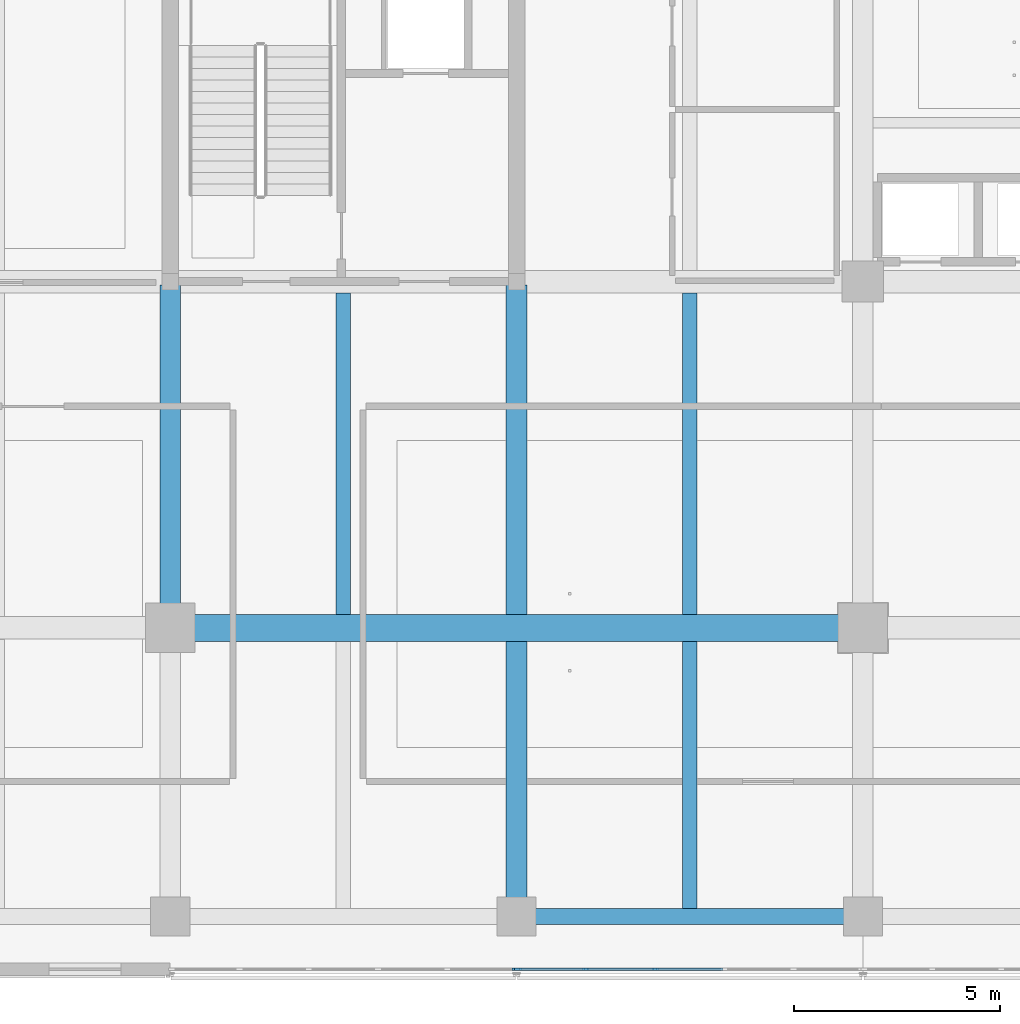
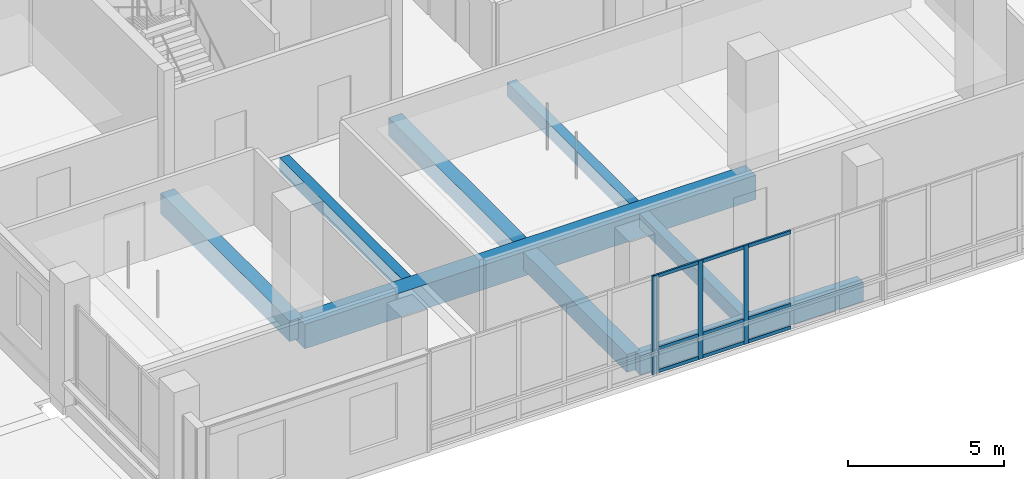
# One storey, part 9 of 128: 13 members, 8 beams, 2 elements without a shape of their own.
"""IFC4 building model written with IfcOpenShell, lengths in metres."""

import ifcopenshell
import ifcopenshell.guid

model = None  # the IFC model being written
_history = None  # IfcOwnerHistory: only IFC2X3 demands one
_inside = {}  # id of a spatial element -> (the spatial element, [elements in it])
_under = {}  # id of a project, library or spatial element -> (it, [spatial elements below it])
_declared = {}  # id of a project -> (the project, [libraries it declares])
_typed = {}  # id of a type object -> (the type object, [elements of that type])
_made_of = {}  # id of a material, layer set ... -> (it, [elements and type objects made of it])


def new_model(schema):
    """Start an empty IFC model of exactly this schema.

    Asked for "IFC4X3", IfcOpenShell would pick the latest addendum, in which some entities
    have other attributes; the version numbers below select the first issue.
    IFC2X3 requires an IfcOwnerHistory on every rooted entity: one is made here for all.
    """
    global model, _history
    if schema == "IFC4X3":
        model = ifcopenshell.file(schema_version=(4, 3, 0, 0))
    else:
        model = ifcopenshell.file(schema=schema)
    _inside.clear()
    _under.clear()
    _declared.clear()
    _typed.clear()
    _made_of.clear()
    _history = None
    if model.schema == "IFC2X3":
        org = make("IfcOrganization", Name="unknown")
        user = make(
            "IfcPersonAndOrganization",
            ThePerson=make("IfcPerson", FamilyName="unknown"),
            TheOrganization=org,
        )
        app = make(
            "IfcApplication",
            ApplicationDeveloper=org,
            Version="unknown",
            ApplicationFullName="unknown",
            ApplicationIdentifier="unknown",
        )
        _history = make(
            "IfcOwnerHistory",
            OwningUser=user,
            OwningApplication=app,
            ChangeAction="ADDED",
            CreationDate=0,
        )
    return model


def make(cls, **values):
    """One entity of the class cls with the attributes given. An attribute that is None is left unset."""
    return model.create_entity(
        cls, **{name: value for name, value in values.items() if value is not None}
    )


def rooted(cls, **values):
    """An entity with a GlobalId (a new one), such as an element, a storey or a relation."""
    return make(cls, GlobalId=ifcopenshell.guid.new(), OwnerHistory=_history, **values)


def si_unit(unit_type, name, prefix=None):
    """IfcSIUnit, for example si_unit("LENGTHUNIT", "METRE", prefix="MILLI")."""
    return make("IfcSIUnit", UnitType=unit_type, Prefix=prefix, Name=name)


def assignment(units):
    """IfcUnitAssignment: the units of a project."""
    return None if units is None else make("IfcUnitAssignment", Units=units)


def point(xyz):
    """IfcCartesianPoint."""
    return None if xyz is None else make("IfcCartesianPoint", Coordinates=xyz)


def direction(xyz):
    """IfcDirection."""
    return None if xyz is None else make("IfcDirection", DirectionRatios=xyz)


def frame(location, z_axis=None, x_axis=None):
    """IfcAxis2Placement3D, a coordinate frame: its origin and axes. An axis left out is left unset."""
    return make(
        "IfcAxis2Placement3D",
        Location=point(location),
        Axis=direction(z_axis),
        RefDirection=direction(x_axis),
    )


def frame_2d(location, x_axis=None):
    """IfcAxis2Placement2D, a coordinate frame in the plane: its origin and x axis."""
    return make(
        "IfcAxis2Placement2D", Location=point(location), RefDirection=direction(x_axis)
    )


def origin():
    """The frame at (0, 0, 0) with its axes left unset."""
    return frame((0.0, 0.0, 0.0))


def origin_2d():
    """The frame at (0, 0) in the plane with its x axis left unset."""
    return frame_2d((0.0, 0.0))


def place(relative_to, where):
    """IfcLocalPlacement: puts the frame where relative to a parent placement (None: the world)."""
    return make(
        "IfcLocalPlacement", PlacementRelTo=relative_to, RelativePlacement=where
    )


def context(
    kind, dimensions, precision=None, world=None, true_north=None, identifier=None
):
    """IfcGeometricRepresentationContext, for example the 3D "Model" context."""
    return make(
        "IfcGeometricRepresentationContext",
        ContextIdentifier=identifier,
        ContextType=kind,
        CoordinateSpaceDimension=dimensions,
        Precision=precision,
        WorldCoordinateSystem=world,
        TrueNorth=true_north,
    )


def subcontext(parent, identifier, kind, view, scale=None):
    """IfcGeometricRepresentationSubContext, for example "Body" below "Model"."""
    return make(
        "IfcGeometricRepresentationSubContext",
        ContextIdentifier=identifier,
        ContextType=kind,
        ParentContext=parent,
        TargetScale=scale,
        TargetView=view,
    )


def project(units=None, contexts=None):
    """IfcProject with its units and contexts."""
    return rooted(
        "IfcProject",
        Name="project",
        RepresentationContexts=contexts,
        UnitsInContext=assignment(units),
    )


def spatial(cls, under=None, at=None, **own):
    """A site, building, storey or space (cls), placed at a placement, below another one or the project."""
    s = rooted(cls, ObjectPlacement=at, **own)
    if under is not None:
        _under.setdefault(under.id(), (under, []))[1].append(s)
    return s


def profile(cls, at=None, kind="AREA", **sizes):
    """A parametric profile (cls). Its sizes go by their IFC names, for example OverallWidth=200.0."""
    return make(cls, ProfileType=kind, Position=at, **sizes)


def rectangle(**sizes):
    """IfcRectangleProfileDef."""
    return profile("IfcRectangleProfileDef", **sizes)


def extrude(swept, where, along, depth):
    """IfcExtrudedAreaSolid: the profile swept, set in the frame where, extruded along a direction by depth."""
    return make(
        "IfcExtrudedAreaSolid",
        SweptArea=swept,
        Position=where,
        ExtrudedDirection=direction(along),
        Depth=depth,
    )


def shape(context_of_items, identifier, shape_type, items):
    """IfcShapeRepresentation: the items that make up one representation, for example the "Body"."""
    return make(
        "IfcShapeRepresentation",
        ContextOfItems=context_of_items,
        RepresentationIdentifier=identifier,
        RepresentationType=shape_type,
        Items=items,
    )


def material(Name=None, Category=None):
    """IfcMaterial."""
    return make("IfcMaterial", Name=Name, Category=Category)


def layer(
    of_material, thickness, ventilated=None, Name=None, Category=None, Priority=None
):
    """IfcMaterialLayer: one layer of a wall or slab, of a material (None: an air gap)."""
    return make(
        "IfcMaterialLayer",
        Material=of_material,
        LayerThickness=thickness,
        IsVentilated=ventilated,
        Name=Name,
        Category=Category,
        Priority=Priority,
    )


def layer_set(layers, Name=None):
    """IfcMaterialLayerSet."""
    return make("IfcMaterialLayerSet", MaterialLayers=layers, LayerSetName=Name)


def material_profile(
    of_material, cross_section, Name=None, Category=None, Priority=None
):
    """IfcMaterialProfile: a cross section and its material."""
    return make(
        "IfcMaterialProfile",
        Name=Name,
        Material=of_material,
        Profile=cross_section,
        Priority=Priority,
        Category=Category,
    )


def profile_set(profiles, Name=None, composite=None):
    """IfcMaterialProfileSet."""
    return make(
        "IfcMaterialProfileSet",
        Name=Name,
        MaterialProfiles=profiles,
        CompositeProfile=composite,
    )


def made_of(thing, what):
    """Note that an element or type object is made of a material, layer set ...; save() writes the relation."""
    if what is not None:
        _made_of.setdefault(what.id(), (what, []))[1].append(thing)
    return thing


def type_object(cls, material=None, **own):
    """A type object (cls), such as IfcWallType, which elements share."""
    return made_of(rooted(cls, **own), material)


def element(
    cls,
    number,
    at=None,
    inside=None,
    cuts=None,
    type_object=None,
    material=None,
    context=None,
    identifier="Body",
    shape_type=None,
    held_by="IfcProductDefinitionShape",
    body=None,
    shapes=None,
    **own,
):
    """One element of the class cls, such as IfcWall. Its Tag is "e" and its number.

    at: its placement. inside: the storey or other place that contains it. cuts: it is an
    opening in that element (IfcRelVoidsElement). A single representation is given by context,
    identifier, shape_type and body (its items); several are given by shapes. held_by: the class
    of the entity that holds the representations. save() writes the other relations.
    """
    e = rooted(cls, Tag="e%d" % number, ObjectPlacement=at, **own)
    if body is not None:
        shapes = [shape(context, identifier, shape_type, body)]
    if shapes is not None:
        e.Representation = make(held_by, Representations=shapes)
    if inside is not None:
        _inside.setdefault(inside.id(), (inside, []))[1].append(e)
    if cuts is not None:
        rooted(
            "IfcRelVoidsElement", RelatingBuildingElement=cuts, RelatedOpeningElement=e
        )
    if type_object is not None:
        _typed.setdefault(type_object.id(), (type_object, []))[1].append(e)
    return made_of(e, material)


def aggregate(whole, parts):
    """IfcRelAggregates: a whole, such as a stair, and the parts it consists of."""
    return rooted("IfcRelAggregates", RelatingObject=whole, RelatedObjects=parts)


def save(model, path):
    """Write the relations noted so far, then the file.

    IfcRelAggregates (storeys below a building ...), IfcRelContainedInSpatialStructure (elements
    in a storey), IfcRelDefinesByType, IfcRelAssociatesMaterial and IfcRelDeclares: one each for
    every whole, place, type object, material and project.
    """
    for whole, parts in _under.values():
        aggregate(whole, parts)
    for where, things in _inside.values():
        rooted(
            "IfcRelContainedInSpatialStructure",
            RelatedElements=things,
            RelatingStructure=where,
        )
    for kind, things in _typed.values():
        rooted("IfcRelDefinesByType", RelatedObjects=things, RelatingType=kind)
    for what, things in _made_of.values():
        rooted("IfcRelAssociatesMaterial", RelatedObjects=things, RelatingMaterial=what)
    for by, libraries in _declared.values():
        rooted("IfcRelDeclares", RelatingContext=by, RelatedDefinitions=libraries)
    model.write(path)


model = new_model("IFC4")

# Units and contexts
model_context = context("Model", 3, precision=1e-05, world=origin(), true_north=direction((0.0, 1.0)))
body_context = subcontext(model_context, "Body", "Model", "MODEL_VIEW")
ifc_project = project(units=[si_unit("LENGTHUNIT", "METRE"), si_unit("AREAUNIT", "SQUARE_METRE"), si_unit("VOLUMEUNIT", "CUBIC_METRE"), si_unit("PLANEANGLEUNIT", "RADIAN"), si_unit("MASSUNIT", "GRAM", prefix="KILO")], contexts=[model_context])

# Site, building, storey
site_placement = place(None, origin())
site = spatial("IfcSite", under=ifc_project, at=site_placement, CompositionType="ELEMENT")
building_placement = place(site_placement, origin())
building = spatial("IfcBuilding", under=site, at=building_placement, Name="Telukmera Botanical Conservatory", CompositionType="ELEMENT")
storey_placement = place(building_placement, frame((0.0, 0.0, 5.39990234375)))
storey = spatial("IfcBuildingStorey", under=building, at=storey_placement, Name="L01", CompositionType="ELEMENT", Elevation=5.39990234375)

# Beams
ifc_material_1 = material(Name="Concrete C40/50", Category="concrete")
ifc_material_profile_1 = material_profile(ifc_material_1, rectangle(XDim=0.5, YDim=0.699951171875, at=origin_2d()), Name="RC 500x700")
ifc_profile_set_1 = profile_set([ifc_material_profile_1], Name="Concrete C40/50")
beam_type_1 = type_object("IfcBeamType", Name="Beam_B14", PredefinedType="BEAM", material=ifc_profile_set_1)
beam_1_placement = place(storey_placement, frame((67.199951171875, 10.679931640625, -0.349853515625), z_axis=(0.0, 1.0, 0.0), x_axis=(-1.0, 0.0, 0.0)))
element("IfcBeam", 1, at=beam_1_placement, inside=storey, type_object=beam_type_1, Name="Tower Hall Secondary Girder L01", PredefinedType="BEAM", context=body_context, shape_type="SweptSolid", body=[
    extrude(rectangle(XDim=0.5, YDim=0.699951171875, at=origin_2d()), origin(), (0.0, 0.0, 1.0), 6.594970703125),
])
beam_2_placement = place(storey_placement, frame((67.199951171875, 17.925048828125, -0.349853515625), z_axis=(0.0, 1.0, 0.0), x_axis=(-1.0, 0.0, 0.0)))
element("IfcBeam", 2, at=beam_2_placement, inside=storey, type_object=beam_type_1, Name="Tower Hall Secondary Girder L01", PredefinedType="BEAM", context=body_context, shape_type="SweptSolid", body=[
    extrude(rectangle(XDim=0.5, YDim=0.699951171875, at=origin_2d()), origin(), (0.0, 0.0, 1.0), 7.994873046875),
])
ifc_material_profile_2 = material_profile(ifc_material_1, rectangle(XDim=0.64990234375, YDim=0.949951171875, at=origin_2d()), Name="RC 650x950")
ifc_profile_set_2 = profile_set([ifc_material_profile_2], Name="Concrete C40/50")
beam_type_2 = type_object("IfcBeamType", Name="Beam_B2", PredefinedType="BEAM", material=ifc_profile_set_2)
beam_3_placement = place(storey_placement, frame((58.8798828125, 17.60009765625, -0.474853515625), z_axis=(1.0, 0.0, 0.0), x_axis=(0.0, 1.0, 0.0)))
element("IfcBeam", 3, at=beam_3_placement, inside=storey, type_object=beam_type_2, Name="Tower Grid Beam L01", PredefinedType="BEAM", context=body_context, shape_type="SweptSolid", body=[
    extrude(rectangle(XDim=0.64990234375, YDim=0.949951171875, at=origin_2d()), origin(), (0.0, 0.0, 1.0), 16.64013671875),
])
ifc_material_profile_3 = material_profile(ifc_material_1, rectangle(XDim=0.35009765625, YDim=0.550048828125, at=origin_2d()), Name="RC 350x550")
ifc_profile_set_3 = profile_set([ifc_material_profile_3], Name="Concrete C40/50")
beam_type_3 = type_object("IfcBeamType", Name="Beam_B21", PredefinedType="JOIST", material=ifc_profile_set_3)
beam_4_placement = place(storey_placement, frame((63.0, 17.925048828125, -0.27490234375), z_axis=(0.0, 1.0, 0.0), x_axis=(-1.0, 0.0, 0.0)))
element("IfcBeam", 4, at=beam_4_placement, inside=storey, type_object=beam_type_3, Name="Tower Secondary Floor Joist L01", PredefinedType="JOIST", context=body_context, shape_type="SweptSolid", body=[
    extrude(rectangle(XDim=0.35009765625, YDim=0.550048828125, at=origin_2d()), origin(), (0.0, 0.0, 1.0), 7.800048828125),
])
beam_5_placement = place(storey_placement, frame((71.39990234375, 10.800048828125, -0.27490234375), z_axis=(0.0, 1.0, 0.0), x_axis=(-1.0, 0.0, 0.0)))
element("IfcBeam", 5, at=beam_5_placement, inside=storey, type_object=beam_type_3, Name="Tower Secondary Floor Joist L01", PredefinedType="JOIST", context=body_context, shape_type="SweptSolid", body=[
    extrude(rectangle(XDim=0.35009765625, YDim=0.550048828125, at=origin_2d()), origin(), (0.0, 0.0, 1.0), 6.474853515625),
])
beam_6_placement = place(storey_placement, frame((71.39990234375, 17.925048828125, -0.27490234375), z_axis=(0.0, 1.0, 0.0), x_axis=(-1.0, 0.0, 0.0)))
element("IfcBeam", 6, at=beam_6_placement, inside=storey, type_object=beam_type_3, Name="Tower Secondary Floor Joist L01", PredefinedType="JOIST", context=body_context, shape_type="SweptSolid", body=[
    extrude(rectangle(XDim=0.35009765625, YDim=0.550048828125, at=origin_2d()), origin(), (0.0, 0.0, 1.0), 7.800048828125),
])
ifc_material_profile_4 = material_profile(ifc_material_1, rectangle(XDim=0.5, YDim=0.800048828125, at=origin_2d()), Name="RC 500x800")
ifc_profile_set_4 = profile_set([ifc_material_profile_4], Name="Concrete C40/50")
beam_type_4 = type_object("IfcBeamType", Name="Beam_B5", PredefinedType="BEAM", material=ifc_profile_set_4)
beam_7_placement = place(storey_placement, frame((58.800048828125, 17.679931640625, -0.39990234375), z_axis=(0.0, 1.0, 0.0), x_axis=(-1.0, 0.0, 0.0)))
element("IfcBeam", 7, at=beam_7_placement, inside=storey, type_object=beam_type_4, Name="Tower Transverse Beam L01", PredefinedType="BEAM", context=body_context, shape_type="SweptSolid", body=[
    extrude(rectangle(XDim=0.5, YDim=0.800048828125, at=origin_2d()), origin(), (0.0, 0.0, 1.0), 8.239990234375),
])
ifc_material_2 = material(Name="Precast concrete C40/50", Category="concrete")
ifc_material_profile_5 = material_profile(ifc_material_2, rectangle(XDim=0.39990234375, YDim=0.75, at=origin_2d()), Name="PC 400x750")
ifc_profile_set_5 = profile_set([ifc_material_profile_5], Name="Precast concrete C40/50")
beam_type_5 = type_object("IfcBeamType", Name="Beam_SP1", PredefinedType="SPANDREL", material=ifc_profile_set_5)
beam_8_placement = place(storey_placement, frame((67.280029296875, 10.60009765625, -0.375), z_axis=(1.0, 0.0, 0.0), x_axis=(0.0, 1.0, 0.0)))
element("IfcBeam", 8, at=beam_8_placement, inside=storey, type_object=beam_type_5, Name="Tower Grid Beam L01", PredefinedType="SPANDREL", context=body_context, shape_type="SweptSolid", body=[
    extrude(rectangle(XDim=0.39990234375, YDim=0.75, at=origin_2d()), origin(), (0.0, 0.0, 1.0), 8.239990234375),
])

# Curtain wall, member
ifc_material_3 = material(Name="Anodised aluminium 6063-T6", Category="aluminium")
ifc_layer = layer(ifc_material_3, 0.179931640625)
ifc_layer_set = layer_set([ifc_layer], Name="Anodised aluminium 6063-T6")
curtain_wall_type = type_object("IfcCurtainWallType", Name="Tower Reference Library Curtain Wall", PredefinedType="USERDEFINED", material=ifc_layer_set)
curtain_wall_1_placement = place(storey_placement, origin())
curtain_wall_1 = element("IfcCurtainWall", 9, at=curtain_wall_1_placement, inside=storey, type_object=curtain_wall_type, Name="Unitised Curtain Wall CW13 V4:L01:S2", ObjectType="UNITISED CURTAIN WALL", PredefinedType="USERDEFINED")
ifc_material_profile_6 = material_profile(ifc_material_3, rectangle(XDim=0.06494140625, YDim=0.159912109375, at=origin_2d()), Name="ALU MULL 65x160")
ifc_profile_set_6 = profile_set([ifc_material_profile_6], Name="Anodised aluminium 6063-T6")
member_type_1 = type_object("IfcMemberType", Name="Curtain Wall Extruded Mullion 65x160", PredefinedType="MULLION", material=ifc_profile_set_6)
member_1_placement = place(storey_placement, frame((67.16552734375, 9.320068359375, 0.0), z_axis=(0.0, 0.0, 1.0), x_axis=(0.0, 1.0, 0.0)))
member_1 = element("IfcMember", 10, at=member_1_placement, type_object=member_type_1, Name="CW13 mullion 6", PredefinedType="MULLION", context=body_context, shape_type="SweptSolid", body=[
    extrude(rectangle(XDim=0.06494140625, YDim=0.159912109375, at=origin_2d()), origin(), (0.0, 0.0, 1.0), 3.85009765625),
])
aggregate(curtain_wall_1, [member_1])

# Curtain wall, members
curtain_wall_2_placement = place(storey_placement, origin())
curtain_wall_2 = element("IfcCurtainWall", 11, at=curtain_wall_2_placement, inside=storey, type_object=curtain_wall_type, Name="Unitised Curtain Wall CW13 V4:L01:S3", ObjectType="UNITISED CURTAIN WALL", PredefinedType="USERDEFINED")
member_2_placement = place(storey_placement, frame((67.234619140625, 9.320068359375, 0.0), z_axis=(0.0, 0.0, 1.0), x_axis=(0.0, 1.0, 0.0)))
member_2 = element("IfcMember", 12, at=member_2_placement, type_object=member_type_1, Name="CW13 mullion 1", PredefinedType="MULLION", context=body_context, shape_type="SweptSolid", body=[
    extrude(rectangle(XDim=0.06494140625, YDim=0.159912109375, at=origin_2d()), origin(), (0.0, 0.0, 1.0), 3.85009765625),
])
member_3_placement = place(storey_placement, frame((68.881103515625, 9.320068359375, 0.0), z_axis=(0.0, 0.0, 1.0), x_axis=(0.0, 1.0, 0.0)))
member_3 = element("IfcMember", 13, at=member_3_placement, type_object=member_type_1, Name="CW13 mullion 2", PredefinedType="MULLION", context=body_context, shape_type="SweptSolid", body=[
    extrude(rectangle(XDim=0.06494140625, YDim=0.159912109375, at=origin_2d()), origin(), (0.0, 0.0, 1.0), 3.85009765625),
])
member_4_placement = place(storey_placement, frame((70.560302734375, 9.320068359375, 0.0), z_axis=(0.0, 0.0, 1.0), x_axis=(0.0, 1.0, 0.0)))
member_4 = element("IfcMember", 14, at=member_4_placement, type_object=member_type_1, Name="CW13 mullion 3", PredefinedType="MULLION", context=body_context, shape_type="SweptSolid", body=[
    extrude(rectangle(XDim=0.06494140625, YDim=0.159912109375, at=origin_2d()), origin(), (0.0, 0.0, 1.0), 3.85009765625),
])
ifc_material_profile_7 = material_profile(ifc_material_3, rectangle(XDim=0.06494140625, YDim=0.1298828125, at=origin_2d()), Name="ALU TRAN 65x130")
ifc_profile_set_7 = profile_set([ifc_material_profile_7], Name="Anodised aluminium 6063-T6")
member_type_2 = type_object("IfcMemberType", Name="Curtain Wall Extruded Transom 65x130", PredefinedType="USERDEFINED", material=ifc_profile_set_7)
member_5_placement = place(storey_placement, frame((67.26708984375, 9.320068359375, 0.065185546875), z_axis=(1.0, 0.0, 0.0), x_axis=(0.0, 1.0, 0.0)))
member_5 = element("IfcMember", 15, at=member_5_placement, type_object=member_type_2, Name="CW13 transom 1.1", ObjectType="TRANSOM", PredefinedType="USERDEFINED", context=body_context, shape_type="SweptSolid", body=[
    extrude(rectangle(XDim=0.06494140625, YDim=0.1298828125, at=origin_2d()), origin(), (0.0, 0.0, 1.0), 1.58154296875),
])
member_6_placement = place(storey_placement, frame((67.26708984375, 9.320068359375, 0.9501953125), z_axis=(1.0, 0.0, 0.0), x_axis=(0.0, 1.0, 0.0)))
member_6 = element("IfcMember", 16, at=member_6_placement, type_object=member_type_2, Name="CW13 transom 1.2", ObjectType="TRANSOM", PredefinedType="USERDEFINED", context=body_context, shape_type="SweptSolid", body=[
    extrude(rectangle(XDim=0.06494140625, YDim=0.1298828125, at=origin_2d()), origin(), (0.0, 0.0, 1.0), 1.58154296875),
])
member_7_placement = place(storey_placement, frame((67.26708984375, 9.320068359375, 3.78515625), z_axis=(1.0, 0.0, 0.0), x_axis=(0.0, 1.0, 0.0)))
member_7 = element("IfcMember", 17, at=member_7_placement, type_object=member_type_2, Name="CW13 transom 1.3", ObjectType="TRANSOM", PredefinedType="USERDEFINED", context=body_context, shape_type="SweptSolid", body=[
    extrude(rectangle(XDim=0.06494140625, YDim=0.1298828125, at=origin_2d()), origin(), (0.0, 0.0, 1.0), 1.58154296875),
])
member_8_placement = place(storey_placement, frame((68.913818359375, 9.320068359375, 0.065185546875), z_axis=(1.0, 0.0, 0.0), x_axis=(0.0, 1.0, 0.0)))
member_8 = element("IfcMember", 18, at=member_8_placement, type_object=member_type_2, Name="CW13 transom 2.1", ObjectType="TRANSOM", PredefinedType="USERDEFINED", context=body_context, shape_type="SweptSolid", body=[
    extrude(rectangle(XDim=0.06494140625, YDim=0.1298828125, at=origin_2d()), origin(), (0.0, 0.0, 1.0), 1.614013671875),
])
member_9_placement = place(storey_placement, frame((68.913818359375, 9.320068359375, 0.9501953125), z_axis=(1.0, 0.0, 0.0), x_axis=(0.0, 1.0, 0.0)))
member_9 = element("IfcMember", 19, at=member_9_placement, type_object=member_type_2, Name="CW13 transom 2.2", ObjectType="TRANSOM", PredefinedType="USERDEFINED", context=body_context, shape_type="SweptSolid", body=[
    extrude(rectangle(XDim=0.06494140625, YDim=0.1298828125, at=origin_2d()), origin(), (0.0, 0.0, 1.0), 1.614013671875),
])
member_10_placement = place(storey_placement, frame((68.913818359375, 9.320068359375, 3.78515625), z_axis=(1.0, 0.0, 0.0), x_axis=(0.0, 1.0, 0.0)))
member_10 = element("IfcMember", 20, at=member_10_placement, type_object=member_type_2, Name="CW13 transom 2.3", ObjectType="TRANSOM", PredefinedType="USERDEFINED", context=body_context, shape_type="SweptSolid", body=[
    extrude(rectangle(XDim=0.06494140625, YDim=0.1298828125, at=origin_2d()), origin(), (0.0, 0.0, 1.0), 1.614013671875),
])
member_11_placement = place(storey_placement, frame((70.593017578125, 9.320068359375, 0.065185546875), z_axis=(1.0, 0.0, 0.0), x_axis=(0.0, 1.0, 0.0)))
member_11 = element("IfcMember", 21, at=member_11_placement, type_object=member_type_2, Name="CW13 transom 3.1", ObjectType="TRANSOM", PredefinedType="USERDEFINED", context=body_context, shape_type="SweptSolid", body=[
    extrude(rectangle(XDim=0.06494140625, YDim=0.1298828125, at=origin_2d()), origin(), (0.0, 0.0, 1.0), 1.614013671875),
])
member_12_placement = place(storey_placement, frame((70.593017578125, 9.320068359375, 0.9501953125), z_axis=(1.0, 0.0, 0.0), x_axis=(0.0, 1.0, 0.0)))
member_12 = element("IfcMember", 22, at=member_12_placement, type_object=member_type_2, Name="CW13 transom 3.2", ObjectType="TRANSOM", PredefinedType="USERDEFINED", context=body_context, shape_type="SweptSolid", body=[
    extrude(rectangle(XDim=0.06494140625, YDim=0.1298828125, at=origin_2d()), origin(), (0.0, 0.0, 1.0), 1.614013671875),
])
member_13_placement = place(storey_placement, frame((70.593017578125, 9.320068359375, 3.78515625), z_axis=(1.0, 0.0, 0.0), x_axis=(0.0, 1.0, 0.0)))
member_13 = element("IfcMember", 23, at=member_13_placement, type_object=member_type_2, Name="CW13 transom 3.3", ObjectType="TRANSOM", PredefinedType="USERDEFINED", context=body_context, shape_type="SweptSolid", body=[
    extrude(rectangle(XDim=0.06494140625, YDim=0.1298828125, at=origin_2d()), origin(), (0.0, 0.0, 1.0), 1.614013671875),
])
aggregate(curtain_wall_2, [member_2, member_3, member_4, member_5, member_6, member_7, member_8, member_9, member_10, member_11, member_12, member_13])

save(model, "model.ifc")
